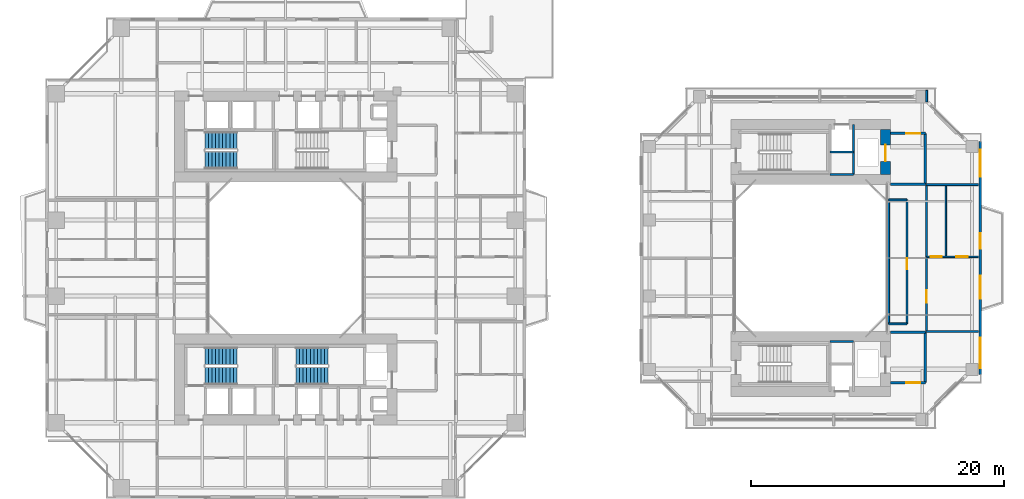
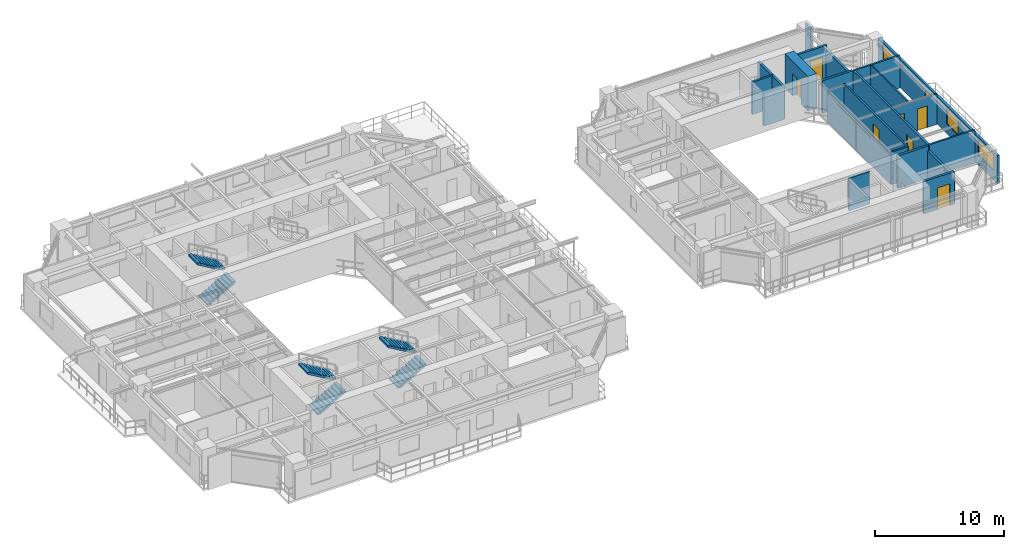
# One storey, part 18 of 23: 22 walls, 8 doors, 6 stair flights, 3 windows, 11 openings, 3 elements without a shape of their own.
"""IFC4 building model written with IfcOpenShell, lengths in metres."""

from ifc_helpers import new_model, si_unit, direction, frame, frame_2d, origin, place, context, subcontext, project, spatial, polyline, rectangle, outline, extrude, source, transform, mapped, material, layer, layer_set, type_object, element, fill, aggregate, save


model = new_model("IFC4")

# Units and contexts
model_context = context("Model", 3, precision=1e-05, world=origin(), true_north=direction((0.0, 1.0)))
body_context = subcontext(model_context, "Body", "Model", "MODEL_VIEW")
ifc_project = project(units=[si_unit("LENGTHUNIT", "METRE"), si_unit("AREAUNIT", "SQUARE_METRE"), si_unit("VOLUMEUNIT", "CUBIC_METRE"), si_unit("PLANEANGLEUNIT", "RADIAN"), si_unit("MASSUNIT", "GRAM", prefix="KILO"), si_unit("THERMODYNAMICTEMPERATUREUNIT", "KELVIN"), si_unit("POWERUNIT", "WATT")], contexts=[model_context])

# Site, building, storey
site_placement = place(None, origin())
site = spatial("IfcSite", under=ifc_project, at=site_placement, CompositionType="ELEMENT")
building_placement = place(site_placement, origin())
building = spatial("IfcBuilding", under=site, at=building_placement, Name="Qiaomeng Ring Towers", CompositionType="ELEMENT")
storey_placement = place(building_placement, frame((0.0, 0.0, 32.75)))
storey = spatial("IfcBuildingStorey", under=building, at=storey_placement, Name="L08", CompositionType="ELEMENT", Elevation=32.75)

# Wall, openings, windows, door
ifc_material_1 = material(Name="Precast concrete C40", Category="concrete")
ifc_layer_1 = layer(ifc_material_1, 0.219970703125, Name="Precast concrete C40")
ifc_layer_set_1 = layer_set([ifc_layer_1], Name="Precast concrete C40")
wall_type_1 = type_object("IfcWallType", Name="ARC-WL-EW2", PredefinedType="STANDARD", material=ifc_layer_set_1)
wall_1_placement = place(storey_placement, frame((73.889892578125, 13.800048828125, 0.0), z_axis=(0.0, 0.0, 1.0), x_axis=(0.0, 1.0, 0.0)))
wall_1 = element("IfcWall", 1, at=wall_1_placement, inside=storey, type_object=wall_type_1, Name="L08 Companion East Wall", PredefinedType="STANDARD", context=body_context, shape_type="SweptSolid", body=[
    extrude(rectangle(XDim=18.39990234375, YDim=0.219970703125, at=frame_2d((9.199951171875, 0.0))), origin(), (0.0, 0.0, 1.0), 2.610107421875),
])
opening_1_placement = place(wall_1_placement, frame((9.949951171875, 0.0, 0.0)))
opening_1 = element("IfcOpeningElement", 2, at=opening_1_placement, cuts=wall_1, Name="Opening BD1", PredefinedType="OPENING", context=body_context, shape_type="SweptSolid", body=[
    extrude(rectangle(XDim=1.199951171875, YDim=2.10009765625, at=frame_2d((0.60009765625, 1.050048828125))), frame((0.0, 0.119873046875, 0.0), z_axis=(0.0, -1.0, 0.0), x_axis=(1.0, 0.0, 0.0)), (0.0, 0.0, 1.0), 0.239990234375),
])
opening_2_placement = place(wall_1_placement, frame((0.507568359375, 0.0, 0.89990234375)))
opening_2 = element("IfcOpeningElement", 3, at=opening_2_placement, cuts=wall_1, Name="Opening WN6", PredefinedType="OPENING", context=body_context, shape_type="SweptSolid", body=[
    extrude(rectangle(XDim=2.39990234375, YDim=1.5, at=frame_2d((1.199951171875, 0.75))), frame((0.0, 0.119873046875, 0.0), z_axis=(0.0, -1.0, 0.0), x_axis=(1.0, 0.0, 0.0)), (0.0, 0.0, 1.0), 0.239990234375),
])
opening_3_placement = place(wall_1_placement, frame((6.0, 0.0, 0.89990234375)))
opening_3 = element("IfcOpeningElement", 4, at=opening_3_placement, cuts=wall_1, Name="Opening WN1", PredefinedType="OPENING", context=body_context, shape_type="SweptSolid", body=[
    extrude(rectangle(XDim=1.800048828125, YDim=1.449951171875, at=frame_2d((0.89990234375, 0.72509765625))), frame((0.0, 0.119873046875, 0.0), z_axis=(0.0, -1.0, 0.0), x_axis=(1.0, 0.0, 0.0)), (0.0, 0.0, 1.0), 0.239990234375),
])
opening_4_placement = place(wall_1_placement, frame((15.642578125, 0.0, 0.89990234375)))
opening_4 = element("IfcOpeningElement", 5, at=opening_4_placement, cuts=wall_1, Name="Opening WN4", PredefinedType="OPENING", context=body_context, shape_type="SweptSolid", body=[
    extrude(rectangle(XDim=2.10009765625, YDim=1.5, at=frame_2d((1.050048828125, 0.75))), frame((0.0, 0.119873046875, 0.0), z_axis=(0.0, -1.0, 0.0), x_axis=(1.0, 0.0, 0.0)), (0.0, 0.0, 1.0), 0.239990234375),
])
ifc_material_2 = material(Name="Low-E dark-grey laminated double glazing", Category="glass")
window_type_1 = type_object("IfcWindowType", Name="ARC-WN-4", PartitioningType="TRIPLE_PANEL_VERTICAL", PredefinedType="WINDOW", material=ifc_material_2)
shared_shape_1 = source(origin(), body_context, "Body", "SweptSolid", [
    extrude(rectangle(XDim=2.10009765625, YDim=1.5, at=frame_2d((1.050048828125, 0.75))), frame((0.0, 0.030029296875, 0.0), z_axis=(0.0, -1.0, 0.0), x_axis=(1.0, 0.0, 0.0)), (0.0, 0.0, 1.0), 0.06005859375),
])
window_1_placement = place(opening_4_placement, origin())
window_1 = element("IfcWindow", 6, at=window_1_placement, inside=storey, type_object=window_type_1, Name="L08 Exterior Window WN4", OverallHeight=1.5, OverallWidth=2.10009765625, PartitioningType="TRIPLE_PANEL_VERTICAL", PredefinedType="WINDOW", context=body_context, shape_type="MappedRepresentation", body=[
    mapped(shared_shape_1, transform((0.0, 0.0, 0.0), x_axis=(1.0, 0.0, 0.0), y_axis=(0.0, 1.0, 0.0), z_axis=(0.0, 0.0, 1.0), scale=1.0)),
])
fill(opening_4, window_1)
window_type_2 = type_object("IfcWindowType", Name="ARC-WN-1", PartitioningType="DOUBLE_PANEL_VERTICAL", PredefinedType="WINDOW", material=ifc_material_2)
shared_shape_2 = source(origin(), body_context, "Body", "SweptSolid", [
    extrude(rectangle(XDim=1.800048828125, YDim=1.449951171875, at=frame_2d((0.89990234375, 0.72509765625))), frame((0.0, 0.030029296875, 0.0), z_axis=(0.0, -1.0, 0.0), x_axis=(1.0, 0.0, 0.0)), (0.0, 0.0, 1.0), 0.06005859375),
])
window_2_placement = place(opening_3_placement, origin())
window_2 = element("IfcWindow", 7, at=window_2_placement, inside=storey, type_object=window_type_2, Name="L08 Exterior Window WN1", OverallHeight=1.449951171875, OverallWidth=1.800048828125, PartitioningType="DOUBLE_PANEL_VERTICAL", PredefinedType="WINDOW", context=body_context, shape_type="MappedRepresentation", body=[
    mapped(shared_shape_2, transform((0.0, 0.0, 0.0), x_axis=(1.0, 0.0, 0.0), y_axis=(0.0, 1.0, 0.0), z_axis=(0.0, 0.0, 1.0), scale=1.0)),
])
fill(opening_3, window_2)
door_type_1 = type_object("IfcDoorType", Name="ARC-DR-BD1", OperationType="NOTDEFINED", PredefinedType="DOOR", material=ifc_material_2)
shared_shape_3 = source(origin(), body_context, "Body", "SweptSolid", [
    extrude(rectangle(XDim=1.199951171875, YDim=2.10009765625, at=frame_2d((0.60009765625, 1.050048828125))), frame((0.0, 0.02490234375, 0.0), z_axis=(0.0, -1.0, 0.0), x_axis=(1.0, 0.0, 0.0)), (0.0, 0.0, 1.0), 0.050048828125),
])
door_1_placement = place(opening_1_placement, origin())
door_1 = element("IfcDoor", 8, at=door_1_placement, inside=storey, type_object=door_type_1, Name="L08 Companion East Balcony Door", OperationType="SINGLE_SWING_LEFT", OverallHeight=2.10009765625, OverallWidth=1.199951171875, PredefinedType="DOOR", context=body_context, shape_type="MappedRepresentation", body=[
    mapped(shared_shape_3, transform((0.0, 0.0, 0.0), x_axis=(1.0, 0.0, 0.0), y_axis=(0.0, 1.0, 0.0), z_axis=(0.0, 0.0, 1.0), scale=1.0)),
])
fill(opening_1, door_1)
window_type_3 = type_object("IfcWindowType", Name="ARC-WN-6", PartitioningType="TRIPLE_PANEL_VERTICAL", PredefinedType="WINDOW", material=ifc_material_2)
shared_shape_4 = source(origin(), body_context, "Body", "SweptSolid", [
    extrude(rectangle(XDim=2.39990234375, YDim=1.5, at=frame_2d((1.199951171875, 0.75))), frame((0.0, 0.030029296875, 0.0), z_axis=(0.0, -1.0, 0.0), x_axis=(1.0, 0.0, 0.0)), (0.0, 0.0, 1.0), 0.06005859375),
])
window_3_placement = place(opening_2_placement, origin())
window_3 = element("IfcWindow", 9, at=window_3_placement, inside=storey, type_object=window_type_3, Name="L08 Exterior Window WN6", OverallHeight=1.5, OverallWidth=2.39990234375, PartitioningType="TRIPLE_PANEL_VERTICAL", PredefinedType="WINDOW", context=body_context, shape_type="MappedRepresentation", body=[
    mapped(shared_shape_4, transform((0.0, 0.0, 0.0), x_axis=(1.0, 0.0, 0.0), y_axis=(0.0, 1.0, 0.0), z_axis=(0.0, 0.0, 1.0), scale=1.0)),
])
fill(opening_2, window_3)

# Walls
ifc_material_3 = material(Name="Autoclaved aerated concrete block", Category="concrete")
ifc_layer_2 = layer(ifc_material_3, 0.199951171875, Name="Autoclaved aerated concrete block")
ifc_layer_set_2 = layer_set([ifc_layer_2], Name="Autoclaved aerated concrete block")
wall_type_2 = type_object("IfcWallType", Name="ARC-WL-PW1", PredefinedType="PARTITIONING", material=ifc_layer_set_2)
wall_2_placement = place(storey_placement, frame((66.800048828125, 28.85009765625, 0.0), z_axis=(0.0, 0.0, 1.0), x_axis=(1.0, 0.0, 0.0)))
element("IfcWall", 10, at=wall_2_placement, inside=storey, type_object=wall_type_2, Name="L08 Interior Wall PW1", PredefinedType="PARTITIONING", context=body_context, shape_type="SweptSolid", body=[
    extrude(rectangle(XDim=2.75, YDim=0.199951171875, at=frame_2d((1.375, 0.0))), origin(), (0.0, 0.0, 1.0), 3.070068359375),
])
wall_3_placement = place(storey_placement, frame((69.550048828125, 28.85009765625, 0.0), z_axis=(0.0, 0.0, 1.0), x_axis=(0.0, 1.0, 0.0)))
element("IfcWall", 11, at=wall_3_placement, inside=storey, type_object=wall_type_2, Name="L08 Interior Wall PW1", PredefinedType="PARTITIONING", context=body_context, shape_type="SweptSolid", body=[
    extrude(rectangle(XDim=4.0, YDim=0.199951171875, at=frame_2d((2.0, 0.0))), origin(), (0.0, 0.0, 1.0), 2.614990234375),
])

# Wall, opening, door
wall_4_placement = place(storey_placement, frame((66.800048828125, 32.85009765625, 0.0), z_axis=(0.0, 0.0, 1.0), x_axis=(1.0, 0.0, 0.0)))
wall_4 = element("IfcWall", 12, at=wall_4_placement, inside=storey, type_object=wall_type_2, Name="L08 Interior Wall PW1", PredefinedType="PARTITIONING", context=body_context, shape_type="SweptSolid", body=[
    extrude(rectangle(XDim=2.75, YDim=0.199951171875, at=frame_2d((1.375, 0.0))), origin(), (0.0, 0.0, 1.0), 3.070068359375),
])
opening_5_placement = place(wall_4_placement, frame((1.25, 0.0, 0.0)))
opening_5 = element("IfcOpeningElement", 13, at=opening_5_placement, cuts=wall_4, Name="Opening FD3", PredefinedType="OPENING", context=body_context, shape_type="SweptSolid", body=[
    extrude(rectangle(XDim=1.10009765625, YDim=2.050048828125, at=frame_2d((0.550048828125, 1.02490234375))), frame((0.0, 0.10986328125, 0.0), z_axis=(0.0, -1.0, 0.0), x_axis=(1.0, 0.0, 0.0)), (0.0, 0.0, 1.0), 0.219970703125),
])
ifc_material_4 = material(Name="Galvanised steel", Category="steel")
door_type_2 = type_object("IfcDoorType", Name="ARC-DR-FD3", OperationType="NOTDEFINED", PredefinedType="DOOR", material=ifc_material_4)
shared_shape_5 = source(origin(), body_context, "Body", "SweptSolid", [
    extrude(rectangle(XDim=1.10009765625, YDim=2.050048828125, at=frame_2d((0.550048828125, 1.02490234375))), frame((0.0, 0.02490234375, 0.0), z_axis=(0.0, -1.0, 0.0), x_axis=(1.0, 0.0, 0.0)), (0.0, 0.0, 1.0), 0.050048828125),
])
door_2_placement = place(opening_5_placement, origin())
door_2 = element("IfcDoor", 14, at=door_2_placement, inside=storey, type_object=door_type_2, Name="L08 Door FD3", OperationType="SINGLE_SWING_RIGHT", OverallHeight=2.050048828125, OverallWidth=1.10009765625, PredefinedType="DOOR", context=body_context, shape_type="MappedRepresentation", body=[
    mapped(shared_shape_5, transform((0.0, 0.0, 0.0), x_axis=(1.0, 0.0, 0.0), y_axis=(0.0, 1.0, 0.0), z_axis=(0.0, 0.0, 1.0), scale=1.0)),
])
fill(opening_5, door_2)

# Walls
wall_5_placement = place(storey_placement, frame((66.800048828125, 17.14990234375, 0.0), z_axis=(0.0, 0.0, 1.0), x_axis=(1.0, 0.0, 0.0)))
element("IfcWall", 15, at=wall_5_placement, inside=storey, type_object=wall_type_2, Name="L08 Interior Wall PW1", PredefinedType="PARTITIONING", context=body_context, shape_type="SweptSolid", body=[
    extrude(rectangle(XDim=2.75, YDim=0.199951171875, at=frame_2d((1.375, 0.0))), origin(), (0.0, 0.0, 1.0), 3.070068359375),
])
wall_6_placement = place(storey_placement, frame((69.550048828125, 13.14990234375, 0.0), z_axis=(0.0, 0.0, 1.0), x_axis=(0.0, 1.0, 0.0)))
element("IfcWall", 16, at=wall_6_placement, inside=storey, type_object=wall_type_2, Name="L08 Interior Wall PW1", PredefinedType="PARTITIONING", context=body_context, shape_type="SweptSolid", body=[
    extrude(rectangle(XDim=4.0, YDim=0.199951171875, at=frame_2d((2.0, 0.0))), origin(), (0.0, 0.0, 1.0), 2.614990234375),
])

# Wall, opening, door
wall_7_placement = place(storey_placement, frame((66.800048828125, 13.14990234375, 0.0), z_axis=(0.0, 0.0, 1.0), x_axis=(1.0, 0.0, 0.0)))
wall_7 = element("IfcWall", 17, at=wall_7_placement, inside=storey, type_object=wall_type_2, Name="L08 Interior Wall PW1", PredefinedType="PARTITIONING", context=body_context, shape_type="SweptSolid", body=[
    extrude(rectangle(XDim=2.75, YDim=0.199951171875, at=frame_2d((1.375, 0.0))), origin(), (0.0, 0.0, 1.0), 3.070068359375),
])
opening_6_placement = place(wall_7_placement, frame((1.25, 0.0, 0.0)))
opening_6 = element("IfcOpeningElement", 18, at=opening_6_placement, cuts=wall_7, Name="Opening FD3", PredefinedType="OPENING", context=body_context, shape_type="SweptSolid", body=[
    extrude(rectangle(XDim=1.10009765625, YDim=2.050048828125, at=frame_2d((0.550048828125, 1.02490234375))), frame((0.0, 0.10986328125, 0.0), z_axis=(0.0, -1.0, 0.0), x_axis=(1.0, 0.0, 0.0)), (0.0, 0.0, 1.0), 0.219970703125),
])
door_3_placement = place(opening_6_placement, origin())
door_3 = element("IfcDoor", 19, at=door_3_placement, inside=storey, type_object=door_type_2, Name="L08 Door FD3", OperationType="SINGLE_SWING_RIGHT", OverallHeight=2.050048828125, OverallWidth=1.10009765625, PredefinedType="DOOR", context=body_context, shape_type="MappedRepresentation", body=[
    mapped(shared_shape_5, transform((0.0, 0.0, 0.0), x_axis=(1.0, 0.0, 0.0), y_axis=(0.0, 1.0, 0.0), z_axis=(0.0, 0.0, 1.0), scale=1.0)),
])
fill(opening_6, door_3)

ifc_layer_3 = layer(ifc_material_3, 0.179931640625, Name="Autoclaved aerated concrete block")
ifc_layer_set_3 = layer_set([ifc_layer_3], Name="Autoclaved aerated concrete block")
wall_type_3 = type_object("IfcWallType", Name="ARC-WL-PW2", PredefinedType="PARTITIONING", material=ifc_layer_set_3)
wall_8_placement = place(storey_placement, frame((69.64990234375, 17.199951171875, 0.0), z_axis=(0.0, 0.0, 1.0), x_axis=(0.0, 1.0, 0.0)))
wall_8 = element("IfcWall", 20, at=wall_8_placement, inside=storey, type_object=wall_type_3, Name="L08 Interior Wall PW2", PredefinedType="PARTITIONING", context=body_context, shape_type="SweptSolid", body=[
    extrude(rectangle(XDim=11.60009765625, YDim=0.179931640625, at=frame_2d((5.800048828125, 0.0))), origin(), (0.0, 0.0, 1.0), 3.070068359375),
])
opening_7_placement = place(wall_8_placement, frame((2.260009765625, 0.0, 0.0)))
opening_7 = element("IfcOpeningElement", 21, at=opening_7_placement, cuts=wall_8, Name="Opening FD4", PredefinedType="OPENING", context=body_context, shape_type="SweptSolid", body=[
    extrude(rectangle(XDim=1.0, YDim=2.050048828125, at=frame_2d((0.5, 1.02490234375))), frame((0.0, 0.099853515625, 0.0), z_axis=(0.0, -1.0, 0.0), x_axis=(1.0, 0.0, 0.0)), (0.0, 0.0, 1.0), 0.199951171875),
])
ifc_material_5 = material(Name="Engineered fire-rated oak timber", Category="wood")
door_type_3 = type_object("IfcDoorType", Name="ARC-DR-FD4", OperationType="NOTDEFINED", PredefinedType="DOOR", material=ifc_material_5)
shared_shape_6 = source(origin(), body_context, "Body", "SweptSolid", [
    extrude(rectangle(XDim=1.0, YDim=2.050048828125, at=frame_2d((0.5, 1.02490234375))), frame((0.0, 0.02490234375, 0.0), z_axis=(0.0, -1.0, 0.0), x_axis=(1.0, 0.0, 0.0)), (0.0, 0.0, 1.0), 0.050048828125),
])
door_4_placement = place(opening_7_placement, origin())
door_4 = element("IfcDoor", 22, at=door_4_placement, inside=storey, type_object=door_type_3, Name="L08 Door FD4", OperationType="SINGLE_SWING_RIGHT", OverallHeight=2.050048828125, OverallWidth=1.0, PredefinedType="DOOR", context=body_context, shape_type="MappedRepresentation", body=[
    mapped(shared_shape_6, transform((0.0, 0.0, 0.0), x_axis=(1.0, 0.0, 0.0), y_axis=(0.0, 1.0, 0.0), z_axis=(0.0, 0.0, 1.0), scale=1.0)),
])
fill(opening_7, door_4)

# Walls
ifc_material_6 = material(Name="Gypsum fireboard steel-stud partition", Category="steel")
ifc_layer_4 = layer(ifc_material_6, 0.14990234375, Name="Gypsum fireboard steel-stud partition")
ifc_layer_set_4 = layer_set([ifc_layer_4], Name="Gypsum fireboard steel-stud partition")
wall_type_4 = type_object("IfcWallType", Name="ARC-WL-PW3", PredefinedType="PARTITIONING", material=ifc_layer_set_4)
for number, where, z_axis, x_axis, name in (
    (23, (69.64990234375, 17.199951171875, 0.0), (0.0, 0.0, 1.0), (1.0, 0.0, 0.0), "L08 Interior Wall PW3"),
    (24, (69.64990234375, 28.800048828125, 0.0), (0.0, 0.0, 1.0), (1.0, 0.0, 0.0), "L08 Interior Wall PW3"),
):
    element("IfcWall", number, at=place(storey_placement, frame(where, z_axis=z_axis, x_axis=x_axis)), inside=storey, type_object=wall_type_4, Name=name, PredefinedType="PARTITIONING", context=body_context, shape_type="SweptSolid", body=[
        extrude(rectangle(XDim=4.10009765625, YDim=0.14990234375, at=frame_2d((2.050048828125, 0.0))), origin(), (0.0, 0.0, 1.0), 3.070068359375),
    ])

# Wall, opening, door
wall_9_placement = place(storey_placement, frame((68.10009765625, 17.800048828125, 0.0), z_axis=(0.0, 0.0, 1.0), x_axis=(0.0, 1.0, 0.0)))
wall_9 = element("IfcWall", 25, at=wall_9_placement, inside=storey, type_object=wall_type_4, Name="L08 Interior Wall PW3", PredefinedType="PARTITIONING", context=body_context, shape_type="SweptSolid", body=[
    extrude(rectangle(XDim=9.800048828125, YDim=0.14990234375, at=frame_2d((4.89990234375, 0.0))), origin(), (0.0, 0.0, 1.0), 3.070068359375),
])
opening_8_placement = place(wall_9_placement, frame((4.300048828125, 0.0, 0.0)))
opening_8 = element("IfcOpeningElement", 26, at=opening_8_placement, cuts=wall_9, Name="Opening ID1", PredefinedType="OPENING", context=body_context, shape_type="SweptSolid", body=[
    extrude(rectangle(XDim=0.89990234375, YDim=2.050048828125, at=frame_2d((0.449951171875, 1.02490234375))), frame((0.0, 0.0849609375, 0.0), z_axis=(0.0, -1.0, 0.0), x_axis=(1.0, 0.0, 0.0)), (0.0, 0.0, 1.0), 0.169921875),
])
ifc_material_7 = material(Name="Engineered oak timber", Category="wood")
door_type_4 = type_object("IfcDoorType", Name="ARC-DR-ID1", OperationType="NOTDEFINED", PredefinedType="DOOR", material=ifc_material_7)
shared_shape_7 = source(origin(), body_context, "Body", "SweptSolid", [
    extrude(rectangle(XDim=0.89990234375, YDim=2.050048828125, at=frame_2d((0.449951171875, 1.02490234375))), frame((0.0, 0.02490234375, 0.0), z_axis=(0.0, -1.0, 0.0), x_axis=(1.0, 0.0, 0.0)), (0.0, 0.0, 1.0), 0.050048828125),
])
door_5_placement = place(opening_8_placement, origin())
door_5 = element("IfcDoor", 27, at=door_5_placement, inside=storey, type_object=door_type_4, Name="L08 Door ID1", OperationType="SINGLE_SWING_LEFT", OverallHeight=2.050048828125, OverallWidth=0.89990234375, PredefinedType="DOOR", context=body_context, shape_type="MappedRepresentation", body=[
    mapped(shared_shape_7, transform((0.0, 0.0, 0.0), x_axis=(1.0, 0.0, 0.0), y_axis=(0.0, 1.0, 0.0), z_axis=(0.0, 0.0, 1.0), scale=1.0)),
])
fill(opening_8, door_5)

# Walls
wall_10_placement = place(storey_placement, frame((66.64990234375, 27.60009765625, 0.0), z_axis=(0.0, 0.0, 1.0), x_axis=(1.0, 0.0, 0.0)))
element("IfcWall", 28, at=wall_10_placement, inside=storey, type_object=wall_type_4, Name="L08 Interior Wall PW3", PredefinedType="PARTITIONING", context=body_context, shape_type="SweptSolid", body=[
    extrude(rectangle(XDim=1.4501953125, YDim=0.14990234375, at=frame_2d((0.72509765625, 0.0))), origin(), (0.0, 0.0, 1.0), 2.864990234375),
])
wall_11_placement = place(storey_placement, frame((66.64990234375, 17.800048828125, 0.0), z_axis=(0.0, 0.0, 1.0), x_axis=(1.0, 0.0, 0.0)))
element("IfcWall", 29, at=wall_11_placement, inside=storey, type_object=wall_type_4, Name="L08 Interior Wall PW3", PredefinedType="PARTITIONING", context=body_context, shape_type="SweptSolid", body=[
    extrude(rectangle(XDim=1.4501953125, YDim=0.14990234375, at=frame_2d((0.72509765625, 0.0))), origin(), (0.0, 0.0, 1.0), 3.070068359375),
])
wall_12_placement = place(storey_placement, frame((66.64990234375, 17.800048828125, 0.0), z_axis=(0.0, 0.0, 1.0), x_axis=(0.0, 1.0, 0.0)))
element("IfcWall", 30, at=wall_12_placement, inside=storey, type_object=wall_type_4, Name="L08 Interior Wall PW3", PredefinedType="PARTITIONING", context=body_context, shape_type="SweptSolid", body=[
    extrude(rectangle(XDim=9.800048828125, YDim=0.14990234375, at=frame_2d((4.89990234375, 0.0))), origin(), (0.0, 0.0, 1.0), 2.6650390625),
])
wall_13_placement = place(storey_placement, frame((69.64990234375, 35.35009765625, 0.0), z_axis=(0.0, 0.0, 1.0), x_axis=(0.0, 1.0, 0.0)))
element("IfcWall", 31, at=wall_13_placement, inside=storey, type_object=wall_type_4, Name="L08 Interior Wall PW3", PredefinedType="PARTITIONING", context=body_context, shape_type="SweptSolid", body=[
    extrude(rectangle(XDim=0.89990234375, YDim=0.14990234375, at=frame_2d((0.449951171875, 0.0))), origin(), (0.0, 0.0, 1.0), 3.070068359375),
])

# Wall, openings, doors
ifc_material_8 = material(Name="Moisture-resistant gypsum steel-stud partition", Category="steel")
ifc_layer_5 = layer(ifc_material_8, 0.1201171875, Name="Moisture-resistant gypsum steel-stud partition")
ifc_layer_set_5 = layer_set([ifc_layer_5], Name="Moisture-resistant gypsum steel-stud partition")
wall_type_5 = type_object("IfcWallType", Name="ARC-WL-PW4", PredefinedType="PLUMBINGWALL", material=ifc_layer_set_5)
wall_14_placement = place(storey_placement, frame((69.64990234375, 23.10009765625, 0.0), z_axis=(0.0, 0.0, 1.0), x_axis=(1.0, 0.0, 0.0)))
wall_14 = element("IfcWall", 32, at=wall_14_placement, inside=storey, type_object=wall_type_5, Name="L08 Interior Wall PW4", PredefinedType="PLUMBINGWALL", context=body_context, shape_type="SweptSolid", body=[
    extrude(rectangle(XDim=4.10009765625, YDim=0.1201171875, at=frame_2d((2.050048828125, 0.0))), origin(), (0.0, 0.0, 1.0), 2.864990234375),
])
opening_9_placement = place(wall_14_placement, frame((0.344970703125, 0.0, 0.0)))
opening_9 = element("IfcOpeningElement", 33, at=opening_9_placement, cuts=wall_14, Name="Opening ID2", PredefinedType="OPENING", context=body_context, shape_type="SweptSolid", body=[
    extrude(rectangle(XDim=0.85009765625, YDim=2.050048828125, at=frame_2d((0.425048828125, 1.02490234375))), frame((0.0, 0.070068359375, 0.0), z_axis=(0.0, -1.0, 0.0), x_axis=(1.0, 0.0, 0.0)), (0.0, 0.0, 1.0), 0.14013671875),
])
opening_10_placement = place(wall_14_placement, frame((2.35009765625, 0.0, 0.0)))
opening_10 = element("IfcOpeningElement", 34, at=opening_10_placement, cuts=wall_14, Name="Opening ID1", PredefinedType="OPENING", context=body_context, shape_type="SweptSolid", body=[
    extrude(rectangle(XDim=0.89990234375, YDim=2.050048828125, at=frame_2d((0.449951171875, 1.02490234375))), frame((0.0, 0.070068359375, 0.0), z_axis=(0.0, -1.0, 0.0), x_axis=(1.0, 0.0, 0.0)), (0.0, 0.0, 1.0), 0.14013671875),
])
ifc_material_9 = material(Name="Moisture-resistant engineered timber", Category="wood")
door_type_5 = type_object("IfcDoorType", Name="ARC-DR-ID2", OperationType="NOTDEFINED", PredefinedType="DOOR", material=ifc_material_9)
shared_shape_8 = source(origin(), body_context, "Body", "SweptSolid", [
    extrude(rectangle(XDim=0.85009765625, YDim=2.050048828125, at=frame_2d((0.425048828125, 1.02490234375))), frame((0.0, 0.02490234375, 0.0), z_axis=(0.0, -1.0, 0.0), x_axis=(1.0, 0.0, 0.0)), (0.0, 0.0, 1.0), 0.050048828125),
])
door_6_placement = place(opening_9_placement, origin())
door_6 = element("IfcDoor", 35, at=door_6_placement, inside=storey, type_object=door_type_5, Name="L08 Door ID2", OperationType="SINGLE_SWING_RIGHT", OverallHeight=2.050048828125, OverallWidth=0.85009765625, PredefinedType="DOOR", context=body_context, shape_type="MappedRepresentation", body=[
    mapped(shared_shape_8, transform((0.0, 0.0, 0.0), x_axis=(1.0, 0.0, 0.0), y_axis=(0.0, 1.0, 0.0), z_axis=(0.0, 0.0, 1.0), scale=1.0)),
])
fill(opening_9, door_6)
door_7_placement = place(opening_10_placement, origin())
door_7 = element("IfcDoor", 36, at=door_7_placement, inside=storey, type_object=door_type_4, Name="L08 Door ID1", OperationType="SINGLE_SWING_LEFT", OverallHeight=2.050048828125, OverallWidth=0.89990234375, PredefinedType="DOOR", context=body_context, shape_type="MappedRepresentation", body=[
    mapped(shared_shape_7, transform((0.0, 0.0, 0.0), x_axis=(1.0, 0.0, 0.0), y_axis=(0.0, 1.0, 0.0), z_axis=(0.0, 0.0, 1.0), scale=1.0)),
])
fill(opening_10, door_7)

# Walls
wall_15_placement = place(storey_placement, frame((71.169921875, 23.10009765625, 0.0), z_axis=(0.0, 0.0, 1.0), x_axis=(0.0, 1.0, 0.0)))
element("IfcWall", 37, at=wall_15_placement, inside=storey, type_object=wall_type_5, Name="L08 Interior Wall PW4", PredefinedType="PLUMBINGWALL", context=body_context, shape_type="SweptSolid", body=[
    extrude(rectangle(XDim=5.699951171875, YDim=0.1201171875, at=frame_2d((2.85009765625, 0.0))), origin(), (0.0, 0.0, 1.0), 3.070068359375),
])
ifc_material_10 = material(Name="Concrete C40", Category="concrete")
ifc_layer_6 = layer(ifc_material_10, 0.199951171875, Name="Concrete C40")
ifc_layer_set_6 = layer_set([ifc_layer_6], Name="Concrete C40")
wall_type_6 = type_object("IfcWallType", Name="STR-WL-STSHAFT", PredefinedType="SHEAR", material=ifc_layer_set_6)
wall_16_placement = place(storey_placement, frame((63.8798828125, 29.60009765625, 0.0), z_axis=(0.0, 0.0, 1.0), x_axis=(0.0, 1.0, 0.0)))
element("IfcWall", 38, at=wall_16_placement, inside=storey, type_object=wall_type_6, Name="L08 Companion Lift Shaft East Wall N", PredefinedType="SHEAR", context=body_context, shape_type="SweptSolid", body=[
    extrude(rectangle(XDim=3.949951171875, YDim=0.179931640625, at=frame_2d((1.97509765625, 0.0))), origin(), (0.0, 0.0, 1.0), 3.070068359375),
])
for number, where, z_axis, x_axis, name in (
    (39, (62.02001953125, 31.3798828125, 0.0), (0.0, 0.0, 1.0), (1.0, 0.0, 0.0), "L08 Companion Lift Shaft Divider Wall N"),
    (40, (62.02001953125, 29.60009765625, 0.0), (0.0, 0.0, 1.0), (1.0, 0.0, 0.0), "L08 Companion Riser Shaft Back Wall N"),
    (41, (62.02001953125, 16.39990234375, 0.0), (0.0, 0.0, 1.0), (1.0, 0.0, 0.0), "L08 Companion Riser Shaft Back Wall S"),
):
    element("IfcWall", number, at=place(storey_placement, frame(where, z_axis=z_axis, x_axis=x_axis)), inside=storey, type_object=wall_type_6, Name=name, PredefinedType="SHEAR", context=body_context, shape_type="SweptSolid", body=[
        extrude(rectangle(XDim=1.85986328125, YDim=0.179931640625, at=frame_2d((0.929931640625, 0.0))), origin(), (0.0, 0.0, 1.0), 3.070068359375),
    ])

# Wall, opening, door
ifc_material_11 = material(Name="Concrete C60", Category="concrete")
ifc_layer_7 = layer(ifc_material_11, 0.800048828125, Name="Concrete C60")
ifc_layer_set_7 = layer_set([ifc_layer_7], Name="Concrete C60")
wall_type_7 = type_object("IfcWallType", Name="STR-WL-SW1", PredefinedType="SHEAR", material=ifc_layer_set_7)
wall_17_placement = place(storey_placement, frame((66.39990234375, 29.60009765625, 0.0), z_axis=(0.0, 0.0, 1.0), x_axis=(0.0, 1.0, 0.0)))
wall_17 = element("IfcWall", 42, at=wall_17_placement, inside=storey, type_object=wall_type_7, Name="L08 T2NC east core shear wall", PredefinedType="SHEAR", context=body_context, shape_type="SweptSolid", body=[
    extrude(rectangle(XDim=3.5498046875, YDim=0.800048828125, at=frame_2d((1.77490234375, 0.0))), origin(), (0.0, 0.0, 1.0), 3.25),
])
opening_11_placement = place(wall_17_placement, frame((1.050048828125, 0.0, 0.0)))
opening_11 = element("IfcOpeningElement", 43, at=opening_11_placement, cuts=wall_17, Name="Opening LD2", PredefinedType="OPENING", context=body_context, shape_type="SweptSolid", body=[
    extrude(rectangle(XDim=1.300048828125, YDim=2.050048828125, at=frame_2d((0.64990234375, 1.02490234375))), frame((0.0, 0.409912109375, 0.0), z_axis=(0.0, -1.0, 0.0), x_axis=(1.0, 0.0, 0.0)), (0.0, 0.0, 1.0), 0.820068359375),
])
ifc_material_12 = material(Name="Stainless steel 316", Category="steel")
door_type_6 = type_object("IfcDoorType", Name="ARC-DR-LD2", OperationType="NOTDEFINED", PredefinedType="DOOR", material=ifc_material_12)
shared_shape_9 = source(origin(), body_context, "Body", "SweptSolid", [
    extrude(rectangle(XDim=1.300048828125, YDim=2.050048828125, at=frame_2d((0.64990234375, 1.02490234375))), frame((0.0, 0.02490234375, 0.0), z_axis=(0.0, -1.0, 0.0), x_axis=(1.0, 0.0, 0.0)), (0.0, 0.0, 1.0), 0.050048828125),
])
door_8_placement = place(opening_11_placement, origin())
door_8 = element("IfcDoor", 44, at=door_8_placement, inside=storey, type_object=door_type_6, Name="L08 Firefighting Lift FL3 Landing Door", OperationType="SLIDING_TO_LEFT", OverallHeight=2.050048828125, OverallWidth=1.300048828125, PredefinedType="DOOR", context=body_context, shape_type="MappedRepresentation", body=[
    mapped(shared_shape_9, transform((0.0, 0.0, 0.0), x_axis=(1.0, 0.0, 0.0), y_axis=(0.0, 1.0, 0.0), z_axis=(0.0, 0.0, 1.0), scale=1.0)),
])
fill(opening_11, door_8)

# Stair, stair flights
stair_type = type_object("IfcStairType", Name="ARC-ST-325", PredefinedType="HALF_TURN_STAIR", material=ifc_material_1)
stair_1_placement = place(storey_placement, origin())
stair_1 = element("IfcStair", 45, at=stair_1_placement, inside=storey, type_object=stair_type, Name="L08 Tower 1 North Stair 1", PredefinedType="HALF_TURN_STAIR")
stair_flight_type = type_object("IfcStairFlightType", Name="ARC-ST-325-FL", PredefinedType="STRAIGHT", material=ifc_material_1)
shared_shape_10 = source(origin(), body_context, "Body", "SweptSolid", [
    extrude(outline(polyline([(0.0, 0.0), (0.0, 0.16259765625), (0.280029296875, 0.16259765625), (0.280029296875, 0.324951171875), (0.56005859375, 0.324951171875), (0.56005859375, 0.487548828125), (0.840087890625, 0.487548828125), (0.840087890625, 0.64990234375), (1.1201171875, 0.64990234375), (1.1201171875, 0.8125), (1.39990234375, 0.8125), (1.39990234375, 0.97509765625), (1.679931640625, 0.97509765625), (1.679931640625, 1.137451171875), (1.9599609375, 1.137451171875), (1.9599609375, 1.300048828125), (2.239990234375, 1.300048828125), (2.239990234375, 1.46240234375), (2.52001953125, 1.46240234375), (2.52001953125, 1.625), (2.52001953125, 1.2890625), (0.298583984375, 0.0), (0.0, 0.0)])), frame((0.0, 0.699951171875, 0.0), z_axis=(0.0, -1.0, 0.0), x_axis=(1.0, 0.0, 0.0)), (0.0, 0.0, 1.0), 1.39990234375),
])
stair_flight_1_placement = place(storey_placement, frame((12.6201171875, 30.75, 0.0), z_axis=(0.0, 0.0, 1.0), x_axis=(1.0, 0.0, 0.0)))
stair_flight_1 = element("IfcStairFlight", 46, at=stair_flight_1_placement, type_object=stair_flight_type, Name="ST1 flight 1", NumberOfRisers=10, NumberOfTreads=9, PredefinedType="STRAIGHT", RiserHeight=0.1625, TreadLength=0.28, context=body_context, shape_type="MappedRepresentation", body=[
    mapped(shared_shape_10, transform((0.0, 0.0, 0.0), x_axis=(1.0, 0.0, 0.0), y_axis=(0.0, 1.0, 0.0), z_axis=(0.0, 0.0, 1.0), scale=1.0)),
])
stair_flight_2_placement = place(storey_placement, frame((15.139892578125, 32.2900390625, 1.625), z_axis=(0.0, 0.0, 1.0), x_axis=(-1.0, 0.0, 0.0)))
stair_flight_2 = element("IfcStairFlight", 47, at=stair_flight_2_placement, type_object=stair_flight_type, Name="ST1 flight 2", NumberOfRisers=10, NumberOfTreads=9, PredefinedType="STRAIGHT", RiserHeight=0.1625, TreadLength=0.28, context=body_context, shape_type="MappedRepresentation", body=[
    mapped(shared_shape_10, transform((0.0, 0.0, 0.0), x_axis=(1.0, 0.0, 0.0), y_axis=(0.0, 1.0, 0.0), z_axis=(0.0, 0.0, 1.0), scale=1.0)),
])
aggregate(stair_1, [stair_flight_1, stair_flight_2])

stair_2_placement = place(storey_placement, origin())
stair_2 = element("IfcStair", 48, at=stair_2_placement, inside=storey, type_object=stair_type, Name="L08 Tower 1 South Stair 3", PredefinedType="HALF_TURN_STAIR")
stair_flight_3_placement = place(storey_placement, frame((12.6201171875, 13.7099609375, 0.0), z_axis=(0.0, 0.0, 1.0), x_axis=(1.0, 0.0, 0.0)))
stair_flight_3 = element("IfcStairFlight", 49, at=stair_flight_3_placement, type_object=stair_flight_type, Name="ST3 flight 1", NumberOfRisers=10, NumberOfTreads=9, PredefinedType="STRAIGHT", RiserHeight=0.1625, TreadLength=0.28, context=body_context, shape_type="MappedRepresentation", body=[
    mapped(shared_shape_10, transform((0.0, 0.0, 0.0), x_axis=(1.0, 0.0, 0.0), y_axis=(0.0, 1.0, 0.0), z_axis=(0.0, 0.0, 1.0), scale=1.0)),
])
stair_flight_4_placement = place(storey_placement, frame((15.139892578125, 15.25, 1.625), z_axis=(0.0, 0.0, 1.0), x_axis=(-1.0, 0.0, 0.0)))
stair_flight_4 = element("IfcStairFlight", 50, at=stair_flight_4_placement, type_object=stair_flight_type, Name="ST3 flight 2", NumberOfRisers=10, NumberOfTreads=9, PredefinedType="STRAIGHT", RiserHeight=0.1625, TreadLength=0.28, context=body_context, shape_type="MappedRepresentation", body=[
    mapped(shared_shape_10, transform((0.0, 0.0, 0.0), x_axis=(1.0, 0.0, 0.0), y_axis=(0.0, 1.0, 0.0), z_axis=(0.0, 0.0, 1.0), scale=1.0)),
])
aggregate(stair_2, [stair_flight_3, stair_flight_4])

stair_3_placement = place(storey_placement, origin())
stair_3 = element("IfcStair", 51, at=stair_3_placement, inside=storey, type_object=stair_type, Name="L08 Tower 1 South Stair 4", PredefinedType="HALF_TURN_STAIR")
stair_flight_5_placement = place(storey_placement, frame((19.820068359375, 13.7099609375, 0.0), z_axis=(0.0, 0.0, 1.0), x_axis=(1.0, 0.0, 0.0)))
stair_flight_5 = element("IfcStairFlight", 52, at=stair_flight_5_placement, type_object=stair_flight_type, Name="ST4 flight 1", NumberOfRisers=10, NumberOfTreads=9, PredefinedType="STRAIGHT", RiserHeight=0.1625, TreadLength=0.28, context=body_context, shape_type="MappedRepresentation", body=[
    mapped(shared_shape_10, transform((0.0, 0.0, 0.0), x_axis=(1.0, 0.0, 0.0), y_axis=(0.0, 1.0, 0.0), z_axis=(0.0, 0.0, 1.0), scale=1.0)),
])
stair_flight_6_placement = place(storey_placement, frame((22.340087890625, 15.25, 1.625), z_axis=(0.0, 0.0, 1.0), x_axis=(-1.0, 0.0, 0.0)))
stair_flight_6 = element("IfcStairFlight", 53, at=stair_flight_6_placement, type_object=stair_flight_type, Name="ST4 flight 2", NumberOfRisers=10, NumberOfTreads=9, PredefinedType="STRAIGHT", RiserHeight=0.1625, TreadLength=0.28, context=body_context, shape_type="MappedRepresentation", body=[
    mapped(shared_shape_10, transform((0.0, 0.0, 0.0), x_axis=(1.0, 0.0, 0.0), y_axis=(0.0, 1.0, 0.0), z_axis=(0.0, 0.0, 1.0), scale=1.0)),
])
aggregate(stair_3, [stair_flight_5, stair_flight_6])

save(model, "model.ifc")
